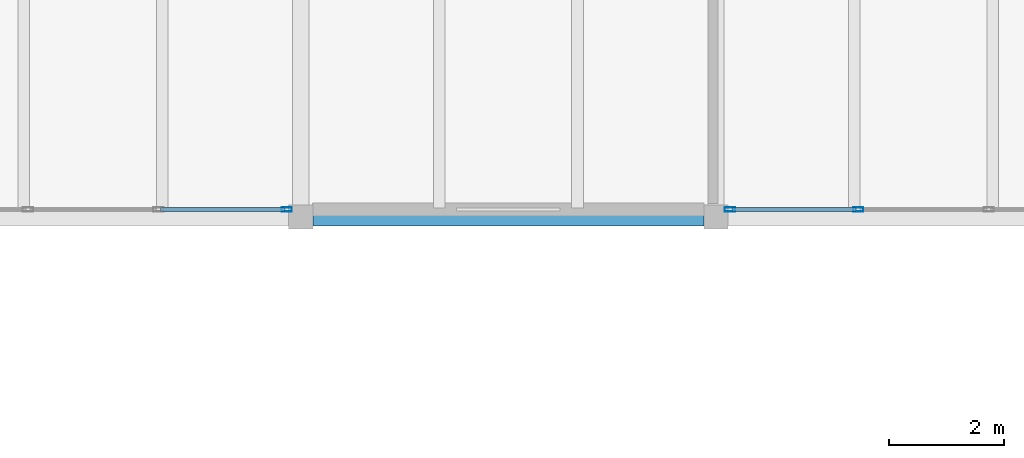
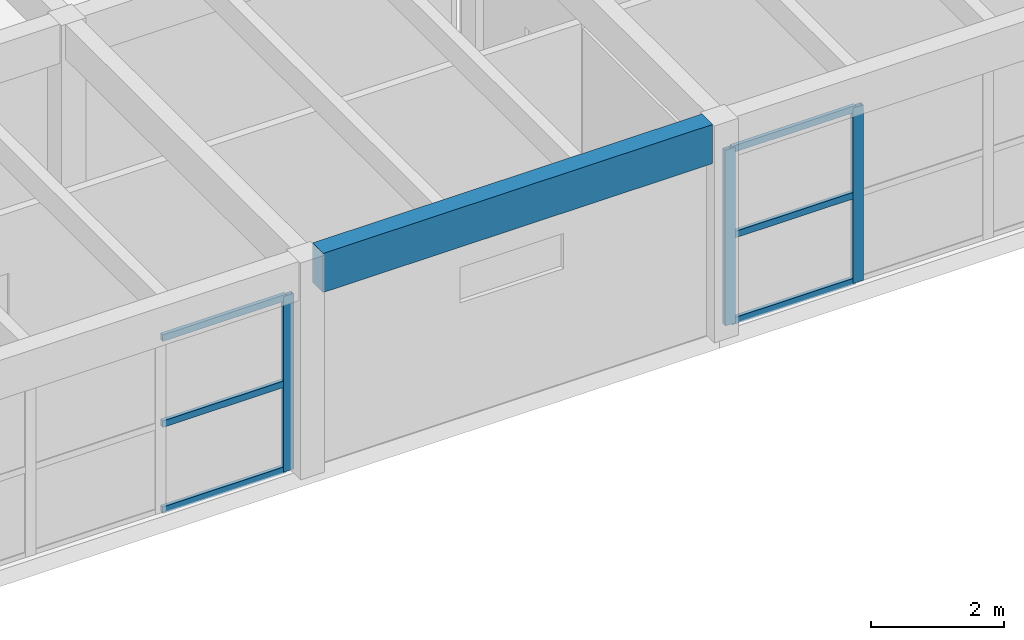
# One storey, part 38 of 68: 9 members, 1 beam, 2 elements without a shape of their own.
"""IFC4 building model written with IfcOpenShell, lengths in metres."""

from ifc_helpers import new_model, si_unit, direction, frame, origin, origin_2d, place, context, subcontext, project, spatial, rectangle, hollow_rectangle, extrude, material, material_profile, profile_set, type_object, element, aggregate, save


model = new_model("IFC4")

# Units and contexts
model_context = context("Model", 3, precision=1e-05, world=origin(), true_north=direction((0.0, 1.0)))
body_context = subcontext(model_context, "Body", "Model", "MODEL_VIEW")
ifc_project = project(units=[si_unit("LENGTHUNIT", "METRE"), si_unit("AREAUNIT", "SQUARE_METRE"), si_unit("VOLUMEUNIT", "CUBIC_METRE"), si_unit("PLANEANGLEUNIT", "RADIAN"), si_unit("MASSUNIT", "GRAM", prefix="KILO")], contexts=[model_context])

# Site, building, storey
site_placement = place(None, origin())
site = spatial("IfcSite", under=ifc_project, at=site_placement, CompositionType="ELEMENT")
building_placement = place(site_placement, origin())
building = spatial("IfcBuilding", under=site, at=building_placement, Name="Bramvelor Terrace Health Centre", CompositionType="ELEMENT")
storey_placement = place(building_placement, frame((0.0, 0.0, 9.300048828125)))
storey = spatial("IfcBuildingStorey", under=building, at=storey_placement, Name="L03", CompositionType="ELEMENT", Elevation=9.300048828125)

# Beam
ifc_material_1 = material(Name="Glulam GL28h", Category="wood")
ifc_material_profile_1 = material_profile(ifc_material_1, rectangle(XDim=0.320068359375, YDim=0.719970703125, at=origin_2d()), Name="GL 320x720")
ifc_profile_set_1 = profile_set([ifc_material_profile_1], Name="Glulam GL28h")
beam_type = type_object("IfcBeamType", Name="BM-GL-G720", PredefinedType="BEAM", material=ifc_profile_set_1)
beam_placement = place(storey_placement, frame((129.81005859375, 50.39990234375, 3.6298828125), z_axis=(1.0, 0.0, 0.0), x_axis=(0.0, 1.0, 0.0)))
element("IfcBeam", 1, at=beam_placement, inside=storey, type_object=beam_type, Name="L03 Floor Girder", PredefinedType="BEAM", context=body_context, shape_type="SweptSolid", body=[
    extrude(rectangle(XDim=0.320068359375, YDim=0.719970703125, at=origin_2d()), origin(), (0.0, 0.0, 1.0), 6.780029296875),
])

# Curtain wall, members
ifc_material_2 = material(Name="Anodized aluminium and double low-E glass", Category="aluminium")
curtain_wall_type = type_object("IfcCurtainWallType", Name="CW-SYS-27", PredefinedType="NOTDEFINED", material=ifc_material_2)
curtain_wall_1_placement = place(storey_placement, origin())
curtain_wall_1 = element("IfcCurtainWall", 2, at=curtain_wall_1_placement, inside=storey, type_object=curtain_wall_type, Name="L03 Unitized Curtain Wall 170", PredefinedType="NOTDEFINED")
ifc_material_3 = material(Name="Anodized aluminium 6063-T6", Category="aluminium")
ifc_material_profile_2 = material_profile(ifc_material_3, hollow_rectangle(XDim=0.074951171875, YDim=0.179931640625, WallThickness=0.00341796875, at=origin_2d()), Name="ALU-MUL 75x180x3.5")
ifc_profile_set_2 = profile_set([ifc_material_profile_2], Name="Anodized aluminium 6063-T6")
member_type_1 = type_object("IfcMemberType", Name="CW-MUL-65x180", PredefinedType="MULLION", material=ifc_profile_set_2)
member_1_placement = place(storey_placement, frame((139.268310546875, 50.530029296875, 0.0), z_axis=(0.0, 0.0, 1.0), x_axis=(0.0, -1.0, 0.0)))
member_1 = element("IfcMember", 3, at=member_1_placement, type_object=member_type_1, Name="CW-27 mullion 3", PredefinedType="MULLION", context=body_context, shape_type="SweptSolid", body=[
    extrude(hollow_rectangle(XDim=0.074951171875, YDim=0.179931640625, WallThickness=0.00341796875, at=origin_2d()), origin(), (0.0, 0.0, 1.0), 3.22998046875),
])
member_2_placement = place(storey_placement, frame((137.04248046875, 50.530029296875, 0.0), z_axis=(0.0, 0.0, 1.0), x_axis=(0.0, -1.0, 0.0)))
member_2 = element("IfcMember", 4, at=member_2_placement, type_object=member_type_1, Name="CW-27 mullion 4", PredefinedType="MULLION", context=body_context, shape_type="SweptSolid", body=[
    extrude(hollow_rectangle(XDim=0.074951171875, YDim=0.179931640625, WallThickness=0.00341796875, at=origin_2d()), origin(), (0.0, 0.0, 1.0), 3.22998046875),
])

# Curtain wall, member
curtain_wall_2_placement = place(storey_placement, origin())
curtain_wall_2 = element("IfcCurtainWall", 5, at=curtain_wall_2_placement, inside=storey, type_object=curtain_wall_type, Name="L03 Unitized Curtain Wall 171", PredefinedType="NOTDEFINED")
member_3_placement = place(storey_placement, frame((129.357421875, 50.530029296875, 0.0), z_axis=(0.0, 0.0, 1.0), x_axis=(0.0, -1.0, 0.0)))
member_3 = element("IfcMember", 6, at=member_3_placement, type_object=member_type_1, Name="CW-27 mullion 1", PredefinedType="MULLION", context=body_context, shape_type="SweptSolid", body=[
    extrude(hollow_rectangle(XDim=0.074951171875, YDim=0.179931640625, WallThickness=0.00341796875, at=origin_2d()), origin(), (0.0, 0.0, 1.0), 3.22998046875),
])

# Member
ifc_material_4 = material(Name="Anodized aluminium 6063-T6", Category="aluminium")
ifc_material_profile_3 = material_profile(ifc_material_4, hollow_rectangle(XDim=0.06494140625, YDim=0.1201171875, WallThickness=0.0029296875, at=origin_2d()), Name="ALU-TRN 65x120x3.0")
ifc_profile_set_3 = profile_set([ifc_material_profile_3], Name="Anodized aluminium 6063-T6")
member_type_2 = type_object("IfcMemberType", Name="CW-TRN-65x150", PredefinedType="USERDEFINED", material=ifc_profile_set_3)
member_4_placement = place(storey_placement, frame((139.230712890625, 50.530029296875, 0.032470703125), z_axis=(-1.0, 0.0, 0.0), x_axis=(0.0, -1.0, 0.0)))
member_4 = element("IfcMember", 7, at=member_4_placement, type_object=member_type_2, Name="CW-27 transom 3.1", ObjectType="TRANSOM", PredefinedType="USERDEFINED", context=body_context, shape_type="SweptSolid", body=[
    extrude(hollow_rectangle(XDim=0.06494140625, YDim=0.1201171875, WallThickness=0.0029296875, at=origin_2d()), origin(), (0.0, 0.0, 1.0), 2.150634765625),
])

member_5_placement = place(storey_placement, frame((139.230712890625, 50.530029296875, 1.614990234375), z_axis=(-1.0, 0.0, 0.0), x_axis=(0.0, -1.0, 0.0)))
member_5 = element("IfcMember", 8, at=member_5_placement, type_object=member_type_2, Name="CW-27 transom 3.2", ObjectType="TRANSOM", PredefinedType="USERDEFINED", context=body_context, shape_type="SweptSolid", body=[
    extrude(hollow_rectangle(XDim=0.06494140625, YDim=0.1201171875, WallThickness=0.0029296875, at=origin_2d()), origin(), (0.0, 0.0, 1.0), 2.150634765625),
])

member_6_placement = place(storey_placement, frame((139.230712890625, 50.530029296875, 3.197509765625), z_axis=(-1.0, 0.0, 0.0), x_axis=(0.0, -1.0, 0.0)))
member_6 = element("IfcMember", 9, at=member_6_placement, type_object=member_type_2, Name="CW-27 transom 3.3", ObjectType="TRANSOM", PredefinedType="USERDEFINED", context=body_context, shape_type="SweptSolid", body=[
    extrude(hollow_rectangle(XDim=0.06494140625, YDim=0.1201171875, WallThickness=0.0029296875, at=origin_2d()), origin(), (0.0, 0.0, 1.0), 2.150634765625),
])

aggregate(curtain_wall_1, [member_1, member_2, member_4, member_5, member_6])

member_7_placement = place(storey_placement, frame((129.320068359375, 50.530029296875, 0.032470703125), z_axis=(-1.0, 0.0, 0.0), x_axis=(0.0, -1.0, 0.0)))
member_7 = element("IfcMember", 10, at=member_7_placement, type_object=member_type_2, Name="CW-27 transom 1.1", ObjectType="TRANSOM", PredefinedType="USERDEFINED", context=body_context, shape_type="SweptSolid", body=[
    extrude(hollow_rectangle(XDim=0.06494140625, YDim=0.1201171875, WallThickness=0.0029296875, at=origin_2d()), origin(), (0.0, 0.0, 1.0), 2.15087890625),
])

member_8_placement = place(storey_placement, frame((129.320068359375, 50.530029296875, 1.614990234375), z_axis=(-1.0, 0.0, 0.0), x_axis=(0.0, -1.0, 0.0)))
member_8 = element("IfcMember", 11, at=member_8_placement, type_object=member_type_2, Name="CW-27 transom 1.2", ObjectType="TRANSOM", PredefinedType="USERDEFINED", context=body_context, shape_type="SweptSolid", body=[
    extrude(hollow_rectangle(XDim=0.06494140625, YDim=0.1201171875, WallThickness=0.0029296875, at=origin_2d()), origin(), (0.0, 0.0, 1.0), 2.15087890625),
])

member_9_placement = place(storey_placement, frame((129.320068359375, 50.530029296875, 3.197509765625), z_axis=(-1.0, 0.0, 0.0), x_axis=(0.0, -1.0, 0.0)))
member_9 = element("IfcMember", 12, at=member_9_placement, type_object=member_type_2, Name="CW-27 transom 1.3", ObjectType="TRANSOM", PredefinedType="USERDEFINED", context=body_context, shape_type="SweptSolid", body=[
    extrude(hollow_rectangle(XDim=0.06494140625, YDim=0.1201171875, WallThickness=0.0029296875, at=origin_2d()), origin(), (0.0, 0.0, 1.0), 2.15087890625),
])

aggregate(curtain_wall_2, [member_3, member_7, member_8, member_9])

save(model, "model.ifc")
